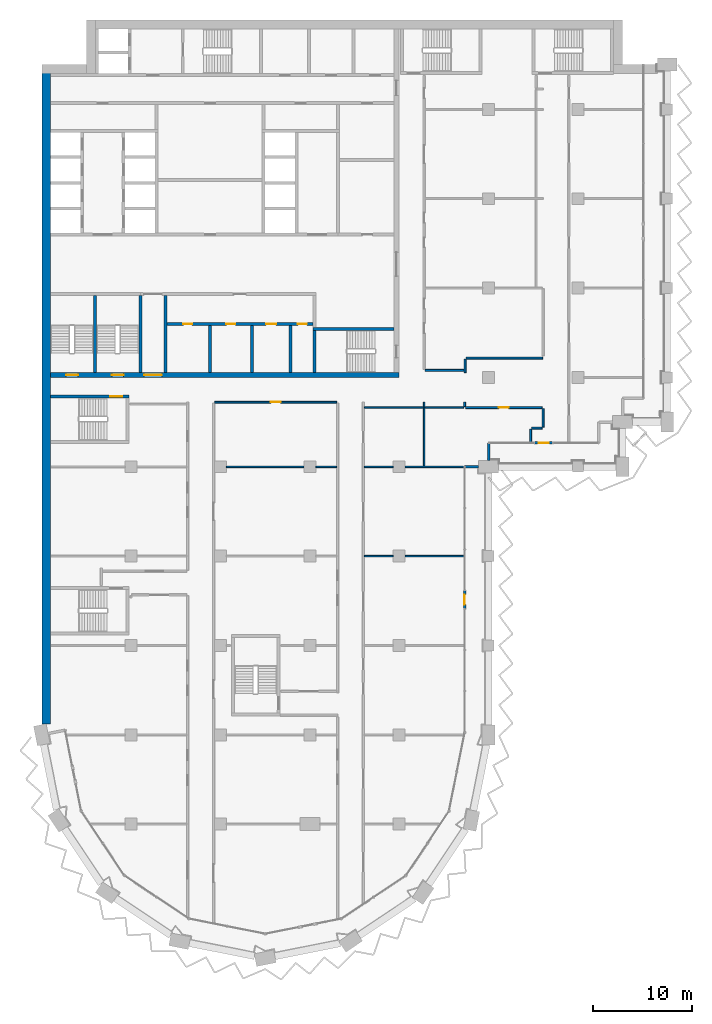
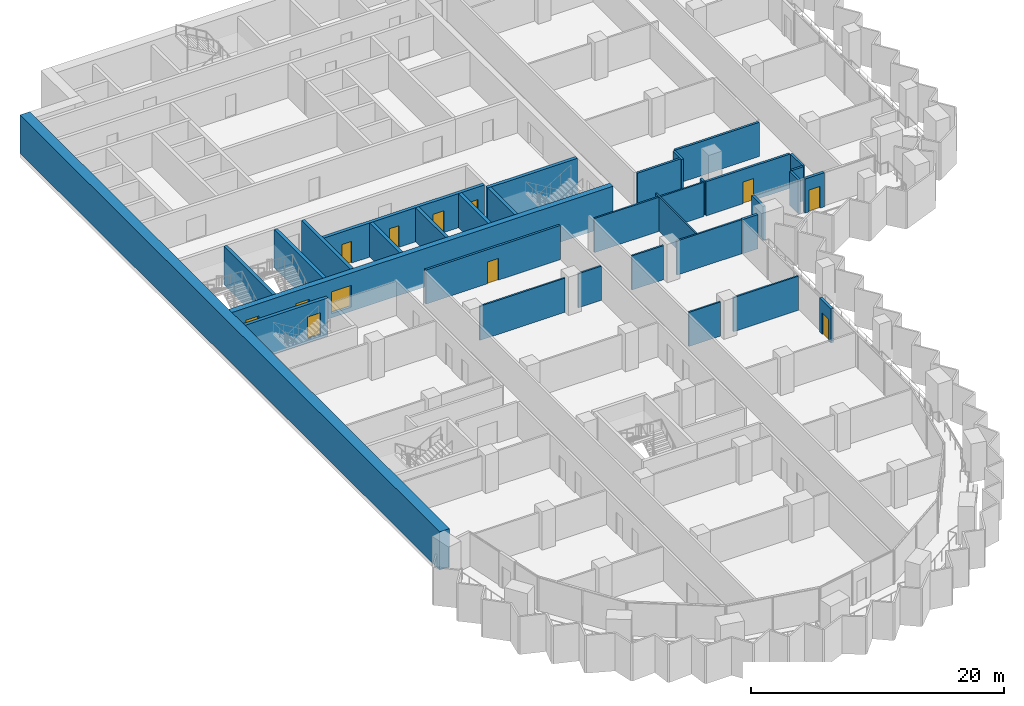
# One storey, part 11 of 22: 34 walls, 12 doors, 12 openings.
"""IFC4 building model written with IfcOpenShell, lengths in metres."""

from ifc_helpers import new_model, si_unit, direction, frame, frame_2d, origin, place, context, subcontext, project, spatial, rectangle, extrude, material, layer, layer_set, type_object, element, fill, save


model = new_model("IFC4")

# Units and contexts
model_context = context("Model", 3, precision=1e-05, world=origin(), true_north=direction((0.0, 1.0)))
body_context = subcontext(model_context, "Body", "Model", "MODEL_VIEW")
ifc_project = project(units=[si_unit("LENGTHUNIT", "METRE"), si_unit("AREAUNIT", "SQUARE_METRE"), si_unit("VOLUMEUNIT", "CUBIC_METRE"), si_unit("PLANEANGLEUNIT", "RADIAN"), si_unit("MASSUNIT", "GRAM", prefix="KILO")], contexts=[model_context])

# Site, building, storey
site_placement = place(None, origin())
site = spatial("IfcSite", under=ifc_project, at=site_placement, CompositionType="ELEMENT")
building_placement = place(site_placement, origin())
building = spatial("IfcBuilding", under=site, at=building_placement, Name="Hunhe Ridgeline Campus", CompositionType="ELEMENT")
storey_placement = place(building_placement, frame((0.0, 0.0, 156.0)))
storey = spatial("IfcBuildingStorey", under=building, at=storey_placement, Name="L39", CompositionType="ELEMENT", Elevation=156.0)

# Wall, openings, doors
ifc_material_1 = material(Name="Masonry concrete blockwork", Category="masonry")
ifc_layer_1 = layer(ifc_material_1, 0.300048828125)
ifc_layer_set_1 = layer_set([ifc_layer_1], Name="Core room partition 300 concrete block")
wall_type_1 = type_object("IfcWallType", Name="Core room partition 300 concrete block", PredefinedType="PARTITIONING", material=ifc_layer_set_1)
wall_1_placement = place(storey_placement, frame((12.60009765625, 68.39990234375, 0.0), z_axis=(0.0, 0.0, 1.0), x_axis=(1.0, 0.0, 0.0)))
wall_1 = element("IfcWall", 1, at=wall_1_placement, inside=storey, type_object=wall_type_1, Name="L39 core partition 9", PredefinedType="PARTITIONING", context=body_context, shape_type="SweptSolid", body=[
    extrude(rectangle(XDim=14.699951171875, YDim=0.300048828125, at=frame_2d((7.35009765625, 0.0))), origin(), (0.0, 0.0, 1.0), 3.300048828125),
])
opening_1_placement = place(wall_1_placement, frame((1.64990234375, 0.0, 0.0)))
opening_1 = element("IfcOpeningElement", 2, at=opening_1_placement, cuts=wall_1, Name="Opening CD8", PredefinedType="OPENING", context=body_context, shape_type="SweptSolid", body=[
    extrude(rectangle(XDim=0.89990234375, YDim=2.10009765625, at=frame_2d((0.449951171875, 1.050048828125))), frame((0.0, 0.14990234375, 0.0), z_axis=(0.0, -1.0, 0.0), x_axis=(1.0, 0.0, 0.0)), (0.0, 0.0, 1.0), 0.300048828125),
])
opening_2_placement = place(wall_1_placement, frame((6.0, 0.0, 0.0)))
opening_2 = element("IfcOpeningElement", 3, at=opening_2_placement, cuts=wall_1, Name="Opening CD9", PredefinedType="OPENING", context=body_context, shape_type="SweptSolid", body=[
    extrude(rectangle(XDim=0.89990234375, YDim=2.10009765625, at=frame_2d((0.449951171875, 1.050048828125))), frame((0.0, 0.14990234375, 0.0), z_axis=(0.0, -1.0, 0.0), x_axis=(1.0, 0.0, 0.0)), (0.0, 0.0, 1.0), 0.300048828125),
])
opening_3_placement = place(wall_1_placement, frame((10.0, 0.0, 0.0)))
opening_3 = element("IfcOpeningElement", 4, at=opening_3_placement, cuts=wall_1, Name="Opening CD10", PredefinedType="OPENING", context=body_context, shape_type="SweptSolid", body=[
    extrude(rectangle(XDim=1.0, YDim=2.10009765625, at=frame_2d((0.5, 1.050048828125))), frame((0.0, 0.14990234375, 0.0), z_axis=(0.0, -1.0, 0.0), x_axis=(1.0, 0.0, 0.0)), (0.0, 0.0, 1.0), 0.300048828125),
])
opening_4_placement = place(wall_1_placement, frame((13.199951171875, 0.0, 0.0)))
opening_4 = element("IfcOpeningElement", 5, at=opening_4_placement, cuts=wall_1, Name="Opening CD11", PredefinedType="OPENING", context=body_context, shape_type="SweptSolid", body=[
    extrude(rectangle(XDim=0.89990234375, YDim=2.10009765625, at=frame_2d((0.449951171875, 1.050048828125))), frame((0.0, 0.14990234375, 0.0), z_axis=(0.0, -1.0, 0.0), x_axis=(1.0, 0.0, 0.0)), (0.0, 0.0, 1.0), 0.300048828125),
])
ifc_material_2 = material(Name="Solid core timber door leaf", Category="wood")
door_type_1 = type_object("IfcDoorType", Name="Timber door 1000x2100", OperationType="SINGLE_SWING_LEFT", PredefinedType="DOOR", material=ifc_material_2)
door_1_placement = place(opening_3_placement, frame((1.0, 0.0, 0.0), z_axis=(0.0, 0.0, 1.0), x_axis=(-1.0, 0.0, 0.0)))
door_1 = element("IfcDoor", 6, at=door_1_placement, inside=storey, type_object=door_type_1, Name="L39 door WC3", OperationType="SINGLE_SWING_RIGHT", OverallHeight=2.10009765625, OverallWidth=1.0, PredefinedType="DOOR", context=body_context, shape_type="SweptSolid", body=[
    extrude(rectangle(XDim=1.0, YDim=2.10009765625, at=frame_2d((0.5, 1.050048828125))), frame((0.0, 0.02490234375, 0.0), z_axis=(0.0, -1.0, 0.0), x_axis=(1.0, 0.0, 0.0)), (0.0, 0.0, 1.0), 0.050048828125),
])
fill(opening_3, door_1)
door_type_2 = type_object("IfcDoorType", Name="Timber door 900x2100", OperationType="SINGLE_SWING_LEFT", PredefinedType="DOOR", material=ifc_material_2)
door_2_placement = place(opening_1_placement, frame((0.89990234375, 0.0, 0.0), z_axis=(0.0, 0.0, 1.0), x_axis=(-1.0, 0.0, 0.0)))
door_2 = element("IfcDoor", 7, at=door_2_placement, inside=storey, type_object=door_type_2, Name="L39 door WC1", OperationType="SINGLE_SWING_RIGHT", OverallHeight=2.10009765625, OverallWidth=0.89990234375, PredefinedType="DOOR", context=body_context, shape_type="SweptSolid", body=[
    extrude(rectangle(XDim=0.89990234375, YDim=2.10009765625, at=frame_2d((0.449951171875, 1.050048828125))), frame((0.0, 0.02490234375, 0.0), z_axis=(0.0, -1.0, 0.0), x_axis=(1.0, 0.0, 0.0)), (0.0, 0.0, 1.0), 0.050048828125),
])
fill(opening_1, door_2)
door_3_placement = place(opening_2_placement, frame((0.89990234375, 0.0, 0.0), z_axis=(0.0, 0.0, 1.0), x_axis=(-1.0, 0.0, 0.0)))
door_3 = element("IfcDoor", 8, at=door_3_placement, inside=storey, type_object=door_type_2, Name="L39 door WC2", OperationType="SINGLE_SWING_LEFT", OverallHeight=2.10009765625, OverallWidth=0.89990234375, PredefinedType="DOOR", context=body_context, shape_type="SweptSolid", body=[
    extrude(rectangle(XDim=0.89990234375, YDim=2.10009765625, at=frame_2d((0.449951171875, 1.050048828125))), frame((0.0, 0.02490234375, 0.0), z_axis=(0.0, -1.0, 0.0), x_axis=(1.0, 0.0, 0.0)), (0.0, 0.0, 1.0), 0.050048828125),
])
fill(opening_2, door_3)
door_4_placement = place(opening_4_placement, frame((0.89990234375, 0.0, 0.0), z_axis=(0.0, 0.0, 1.0), x_axis=(-1.0, 0.0, 0.0)))
door_4 = element("IfcDoor", 9, at=door_4_placement, inside=storey, type_object=door_type_2, Name="L39 door WC4", OperationType="SINGLE_SWING_LEFT", OverallHeight=2.10009765625, OverallWidth=0.89990234375, PredefinedType="DOOR", context=body_context, shape_type="SweptSolid", body=[
    extrude(rectangle(XDim=0.89990234375, YDim=2.10009765625, at=frame_2d((0.449951171875, 1.050048828125))), frame((0.0, 0.02490234375, 0.0), z_axis=(0.0, -1.0, 0.0), x_axis=(1.0, 0.0, 0.0)), (0.0, 0.0, 1.0), 0.050048828125),
])
fill(opening_4, door_4)

# Walls
wall_2_placement = place(storey_placement, frame((12.449951171875, 63.5, 0.0), z_axis=(0.0, 0.0, 1.0), x_axis=(0.0, 1.0, 0.0)))
element("IfcWall", 10, at=wall_2_placement, inside=storey, type_object=wall_type_1, Name="L39 core partition 42", PredefinedType="PARTITIONING", context=body_context, shape_type="SweptSolid", body=[
    extrude(rectangle(XDim=7.75, YDim=0.300048828125, at=frame_2d((3.875, 0.0))), origin(), (0.0, 0.0, 1.0), 3.300048828125),
])
for number, where, z_axis, x_axis, name in (
    (11, (16.949951171875, 63.5, 0.0), (0.0, 0.0, 1.0), (0.0, 1.0, 0.0), "L39 core partition 44"),
    (12, (21.14990234375, 63.5, 0.0), (0.0, 0.0, 1.0), (0.0, 1.0, 0.0), "L39 core partition 46"),
    (13, (25.050048828125, 63.5, 0.0), (0.0, 0.0, 1.0), (0.0, 1.0, 0.0), "L39 core partition 51"),
):
    element("IfcWall", number, at=place(storey_placement, frame(where, z_axis=z_axis, x_axis=x_axis)), inside=storey, type_object=wall_type_1, Name=name, PredefinedType="PARTITIONING", context=body_context, shape_type="SweptSolid", body=[
        extrude(rectangle(XDim=4.75, YDim=0.300048828125, at=frame_2d((2.375, 0.0))), origin(), (0.0, 0.0, 1.0), 3.300048828125),
    ])

# Wall, openings, doors
ifc_material_3 = material(Name="Concrete C70", Category="concrete")
ifc_layer_2 = layer(ifc_material_3, 0.5)
ifc_layer_set_2 = layer_set([ifc_layer_2], Name="Core wall 500 reinforced concrete C70")
wall_type_2 = type_object("IfcWallType", Name="Core wall 500 reinforced concrete C70", PredefinedType="SOLIDWALL", material=ifc_layer_set_2)
wall_3_placement = place(storey_placement, frame((0.89990234375, 63.25, -0.39990234375), z_axis=(0.0, 0.0, 1.0), x_axis=(1.0, 0.0, 0.0)))
wall_3 = element("IfcWall", 14, at=wall_3_placement, inside=storey, type_object=wall_type_2, Name="L39 core wall 7", PredefinedType="SOLIDWALL", context=body_context, shape_type="SweptSolid", body=[
    extrude(rectangle(XDim=35.10009765625, YDim=0.5, at=frame_2d((17.550048828125, 0.0))), origin(), (0.0, 0.0, 1.0), 3.699951171875),
])
opening_5_placement = place(wall_3_placement, frame((9.39990234375, 0.0, 0.39990234375)))
opening_5 = element("IfcOpeningElement", 15, at=opening_5_placement, cuts=wall_3, Name="Opening CD6", PredefinedType="OPENING", context=body_context, shape_type="SweptSolid", body=[
    extrude(rectangle(XDim=1.800048828125, YDim=2.10009765625, at=frame_2d((0.89990234375, 1.050048828125))), frame((0.0, 0.25, 0.0), z_axis=(0.0, -1.0, 0.0), x_axis=(1.0, 0.0, 0.0)), (0.0, 0.0, 1.0), 0.5),
])
opening_6_placement = place(wall_3_placement, frame((1.550048828125, 0.0, 0.39990234375)))
opening_6 = element("IfcOpeningElement", 16, at=opening_6_placement, cuts=wall_3, Name="Opening CD13", PredefinedType="OPENING", context=body_context, shape_type="SweptSolid", body=[
    extrude(rectangle(XDim=1.199951171875, YDim=2.10009765625, at=frame_2d((0.60009765625, 1.050048828125))), frame((0.0, 0.25, 0.0), z_axis=(0.0, -1.0, 0.0), x_axis=(1.0, 0.0, 0.0)), (0.0, 0.0, 1.0), 0.5),
])
opening_7_placement = place(wall_3_placement, frame((6.14990234375, 0.0, 0.39990234375)))
opening_7 = element("IfcOpeningElement", 17, at=opening_7_placement, cuts=wall_3, Name="Opening CD14", PredefinedType="OPENING", context=body_context, shape_type="SweptSolid", body=[
    extrude(rectangle(XDim=1.199951171875, YDim=2.10009765625, at=frame_2d((0.60009765625, 1.050048828125))), frame((0.0, 0.25, 0.0), z_axis=(0.0, -1.0, 0.0), x_axis=(1.0, 0.0, 0.0)), (0.0, 0.0, 1.0), 0.5),
])
ifc_material_4 = material(Name="Anodised aluminium and glass", Category="aluminium")
door_type_3 = type_object("IfcDoorType", Name="Glazed double door 1800x2100", OperationType="DOUBLE_DOOR_SINGLE_SWING", PredefinedType="DOOR", material=ifc_material_4)
door_5_placement = place(opening_5_placement, frame((1.800048828125, 0.0, 0.0), z_axis=(0.0, 0.0, 1.0), x_axis=(-1.0, 0.0, 0.0)))
door_5 = element("IfcDoor", 18, at=door_5_placement, inside=storey, type_object=door_type_3, Name="L39 door VEST-FLOOR", OperationType="DOUBLE_DOOR_SINGLE_SWING", OverallHeight=2.10009765625, OverallWidth=1.800048828125, PredefinedType="DOOR", context=body_context, shape_type="SweptSolid", body=[
    extrude(rectangle(XDim=1.800048828125, YDim=2.10009765625, at=frame_2d((0.89990234375, 1.050048828125))), frame((0.0, 0.02490234375, 0.0), z_axis=(0.0, -1.0, 0.0), x_axis=(1.0, 0.0, 0.0)), (0.0, 0.0, 1.0), 0.050048828125),
])
fill(opening_5, door_5)
ifc_material_5 = material(Name="Hollow metal fire door leaf")
door_type_4 = type_object("IfcDoorType", Name="Stair door 1200x2100 FD60", OperationType="SINGLE_SWING_LEFT", PredefinedType="DOOR", material=ifc_material_5)
door_6_placement = place(opening_6_placement, frame((1.199951171875, 0.0, 0.0), z_axis=(0.0, 0.0, 1.0), x_axis=(-1.0, 0.0, 0.0)))
door_6 = element("IfcDoor", 19, at=door_6_placement, inside=storey, type_object=door_type_4, Name="L39 door S3", OperationType="SINGLE_SWING_RIGHT", OverallHeight=2.10009765625, OverallWidth=1.199951171875, PredefinedType="DOOR", context=body_context, shape_type="SweptSolid", body=[
    extrude(rectangle(XDim=1.199951171875, YDim=2.10009765625, at=frame_2d((0.60009765625, 1.050048828125))), frame((0.0, 0.02490234375, 0.0), z_axis=(0.0, -1.0, 0.0), x_axis=(1.0, 0.0, 0.0)), (0.0, 0.0, 1.0), 0.050048828125),
])
fill(opening_6, door_6)
door_7_placement = place(opening_7_placement, frame((1.199951171875, 0.0, 0.0), z_axis=(0.0, 0.0, 1.0), x_axis=(-1.0, 0.0, 0.0)))
door_7 = element("IfcDoor", 20, at=door_7_placement, inside=storey, type_object=door_type_4, Name="L39 door S4", OperationType="SINGLE_SWING_LEFT", OverallHeight=2.10009765625, OverallWidth=1.199951171875, PredefinedType="DOOR", context=body_context, shape_type="SweptSolid", body=[
    extrude(rectangle(XDim=1.199951171875, YDim=2.10009765625, at=frame_2d((0.60009765625, 1.050048828125))), frame((0.0, 0.02490234375, 0.0), z_axis=(0.0, -1.0, 0.0), x_axis=(1.0, 0.0, 0.0)), (0.0, 0.0, 1.0), 0.050048828125),
])
fill(opening_7, door_7)

# Walls
ifc_material_6 = material(Name="Concrete C30", Category="concrete")
ifc_layer_3 = layer(ifc_material_6, 0.25)
ifc_layer_set_3 = layer_set([ifc_layer_3], Name="Corner return wall 250 Concrete C30")
wall_type_3 = type_object("IfcWallType", Name="Corner return wall 250 Concrete C30", PredefinedType="SOLIDWALL", material=ifc_layer_set_3)
wall_4_placement = place(storey_placement, frame((42.59912109375, 54.00048828125, 0.0), z_axis=(0.0, 0.0, 1.0), x_axis=(0.999999984814, 0.000174276749, 0.0)))
element("IfcWall", 21, at=wall_4_placement, inside=storey, type_object=wall_type_3, Name="Corner return wall 2", PredefinedType="SOLIDWALL", context=body_context, shape_type="SweptSolid", body=[
    extrude(rectangle(XDim=1.40087890625, YDim=0.25, at=frame_2d((0.700439453125, 0.0))), origin(), (0.0, 0.0, 1.0), 3.300048828125),
])
wall_5_placement = place(storey_placement, frame((44.999267578125, 54.64990234375, 0.0), z_axis=(0.0, 0.0, 1.0), x_axis=(0.000278862231, 0.999999961118, 0.0)))
element("IfcWall", 22, at=wall_5_placement, inside=storey, type_object=wall_type_3, Name="Corner return wall 3", PredefinedType="SOLIDWALL", context=body_context, shape_type="SweptSolid", body=[
    extrude(rectangle(XDim=1.7509765625, YDim=0.25, at=frame_2d((0.87548828125, 0.0))), origin(), (0.0, 0.0, 1.0), 3.300048828125),
])
ifc_material_7 = material(Name="Gypsum board partition")
ifc_layer_4 = layer(ifc_material_7, 0.199951171875)
ifc_layer_set_4 = layer_set([ifc_layer_4], Name="Corridor partition 200 gypsum board on steel studs")
wall_type_4 = type_object("IfcWallType", Name="Corridor partition 200 gypsum board on steel studs", PredefinedType="PARTITIONING", material=ifc_layer_set_4)
wall_6_placement = place(storey_placement, frame((49.34912109375, 57.90087890625, 0.0), z_axis=(0.0, 0.0, 1.0), x_axis=(1.0, 0.0, 0.0)))
element("IfcWall", 23, at=wall_6_placement, inside=storey, type_object=wall_type_4, Name="F-L39-wall-036", PredefinedType="PARTITIONING", context=body_context, shape_type="SweptSolid", body=[
    extrude(rectangle(XDim=1.05078125, YDim=0.199951171875, at=frame_2d((0.525390625, 0.0))), origin(), (0.0, 0.0, 1.0), 3.300048828125),
])

# Wall, opening, door
wall_7_placement = place(storey_placement, frame((50.39990234375, 59.950927734375, 0.0), z_axis=(0.0, 0.0, 1.0), x_axis=(-1.0, 0.0, 0.0)))
wall_7 = element("IfcWall", 24, at=wall_7_placement, inside=storey, type_object=wall_type_4, Name="F-L39-wall-039", PredefinedType="PARTITIONING", context=body_context, shape_type="SweptSolid", body=[
    extrude(rectangle(XDim=7.699951171875, YDim=0.199951171875, at=frame_2d((3.85009765625, 0.0))), origin(), (0.0, 0.0, 1.0), 3.300048828125),
])
opening_8_placement = place(wall_7_placement, frame((3.35009765625, 0.0, 0.0)))
opening_8 = element("IfcOpeningElement", 25, at=opening_8_placement, cuts=wall_7, Name="Opening RD1-027", PredefinedType="OPENING", context=body_context, shape_type="SweptSolid", body=[
    extrude(rectangle(XDim=1.0, YDim=2.10009765625, at=frame_2d((0.5, 1.050048828125))), frame((0.0, 0.10009765625, 0.0), z_axis=(0.0, -1.0, 0.0), x_axis=(1.0, 0.0, 0.0)), (0.0, 0.0, 1.0), 0.199951171875),
])
ifc_material_8 = material(Name="Timber door leaf", Category="wood")
door_type_5 = type_object("IfcDoorType", Name="Single fire door 1000x2100 timber FD60", OperationType="NOTDEFINED", PredefinedType="DOOR", material=ifc_material_8)
door_8_placement = place(opening_8_placement, origin())
door_8 = element("IfcDoor", 26, at=door_8_placement, inside=storey, type_object=door_type_5, Name="F-L39-door-027", OperationType="SINGLE_SWING_LEFT", OverallHeight=2.10009765625, OverallWidth=1.0, PredefinedType="DOOR", context=body_context, shape_type="SweptSolid", body=[
    extrude(rectangle(XDim=1.0, YDim=2.10009765625, at=frame_2d((0.5, 1.050048828125))), frame((0.0, 0.02490234375, 0.0), z_axis=(0.0, -1.0, 0.0), x_axis=(1.0, 0.0, 0.0)), (0.0, 0.0, 1.0), 0.050048828125),
])
fill(opening_8, door_8)

wall_8_placement = place(storey_placement, frame((29.699951171875, 60.5, 0.0), z_axis=(0.0, 0.0, 1.0), x_axis=(-1.0, 0.0, 0.0)))
wall_8 = element("IfcWall", 27, at=wall_8_placement, inside=storey, type_object=wall_type_4, Name="F-L39-wall-041", PredefinedType="PARTITIONING", context=body_context, shape_type="SweptSolid", body=[
    extrude(rectangle(XDim=12.300048828125, YDim=0.199951171875, at=frame_2d((6.14990234375, 0.0))), origin(), (0.0, 0.0, 1.0), 3.300048828125),
])
opening_9_placement = place(wall_8_placement, frame((5.64990234375, 0.0, 0.0)))
opening_9 = element("IfcOpeningElement", 28, at=opening_9_placement, cuts=wall_8, Name="Opening RD1-028", PredefinedType="OPENING", context=body_context, shape_type="SweptSolid", body=[
    extrude(rectangle(XDim=1.0, YDim=2.10009765625, at=frame_2d((0.5, 1.050048828125))), frame((0.0, 0.10009765625, 0.0), z_axis=(0.0, -1.0, 0.0), x_axis=(1.0, 0.0, 0.0)), (0.0, 0.0, 1.0), 0.199951171875),
])
door_9_placement = place(opening_9_placement, origin())
door_9 = element("IfcDoor", 29, at=door_9_placement, inside=storey, type_object=door_type_5, Name="F-L39-door-028", OperationType="SINGLE_SWING_LEFT", OverallHeight=2.10009765625, OverallWidth=1.0, PredefinedType="DOOR", context=body_context, shape_type="SweptSolid", body=[
    extrude(rectangle(XDim=1.0, YDim=2.10009765625, at=frame_2d((0.5, 1.050048828125))), frame((0.0, 0.02490234375, 0.0), z_axis=(0.0, -1.0, 0.0), x_axis=(1.0, 0.0, 0.0)), (0.0, 0.0, 1.0), 0.050048828125),
])
fill(opening_9, door_9)

# Walls
wall_9_placement = place(storey_placement, frame((38.60009765625, 63.699951171875, 0.0), z_axis=(0.0, 0.0, 1.0), x_axis=(1.0, 0.0, 0.0)))
element("IfcWall", 30, at=wall_9_placement, inside=storey, type_object=wall_type_4, Name="F-L39-wall-043", PredefinedType="PARTITIONING", context=body_context, shape_type="SweptSolid", body=[
    extrude(rectangle(XDim=3.949951171875, YDim=0.199951171875, at=frame_2d((1.97509765625, 0.0))), origin(), (0.0, 0.0, 1.0), 3.300048828125),
])
wall_10_placement = place(storey_placement, frame((42.75, 64.949951171875, 0.0), z_axis=(0.0, 0.0, 1.0), x_axis=(1.0, 0.0, 0.0)))
element("IfcWall", 31, at=wall_10_placement, inside=storey, type_object=wall_type_4, Name="F-L39-wall-044", PredefinedType="PARTITIONING", context=body_context, shape_type="SweptSolid", body=[
    extrude(rectangle(XDim=7.699951171875, YDim=0.199951171875, at=frame_2d((3.85009765625, 0.0))), origin(), (0.0, 0.0, 1.0), 3.300048828125),
])
wall_11_placement = place(storey_placement, frame((42.60009765625, 60.051025390625, 0.0), z_axis=(0.0, 0.0, 1.0), x_axis=(0.0, 1.0, 0.0)))
element("IfcWall", 32, at=wall_11_placement, inside=storey, type_object=wall_type_4, Name="F-L39-wall-065", PredefinedType="PARTITIONING", context=body_context, shape_type="SweptSolid", body=[
    extrude(rectangle(XDim=0.448974609375, YDim=0.199951171875, at=frame_2d((0.224609375, 0.0))), origin(), (0.0, 0.0, 1.0), 3.300048828125),
])
wall_12_placement = place(storey_placement, frame((42.64990234375, 63.487548828125, 0.0), z_axis=(0.0, 0.0, 1.0), x_axis=(0.0, 1.0, 0.0)))
element("IfcWall", 33, at=wall_12_placement, inside=storey, type_object=wall_type_4, Name="F-L39-wall-066", PredefinedType="PARTITIONING", context=body_context, shape_type="SweptSolid", body=[
    extrude(rectangle(XDim=1.362548828125, YDim=0.199951171875, at=frame_2d((0.68115234375, 0.0))), origin(), (0.0, 0.0, 1.0), 3.300048828125),
])
wall_13_placement = place(storey_placement, frame((49.2490234375, 56.455078125, 0.0), z_axis=(0.0, 0.0, 1.0), x_axis=(0.0, 1.0, 0.0)))
element("IfcWall", 34, at=wall_13_placement, inside=storey, type_object=wall_type_4, Name="F-L39-wall-067", PredefinedType="PARTITIONING", context=body_context, shape_type="SweptSolid", body=[
    extrude(rectangle(XDim=1.345947265625, YDim=0.199951171875, at=frame_2d((0.6728515625, 0.0))), origin(), (0.0, 0.0, 1.0), 3.300048828125),
])
wall_14_placement = place(storey_placement, frame((50.5, 58.0009765625, 0.0), z_axis=(0.0, 0.0, 1.0), x_axis=(0.0, 1.0, 0.0)))
element("IfcWall", 35, at=wall_14_placement, inside=storey, type_object=wall_type_4, Name="F-L39-wall-072", PredefinedType="PARTITIONING", context=body_context, shape_type="SweptSolid", body=[
    extrude(rectangle(XDim=1.8447265625, YDim=0.199951171875, at=frame_2d((0.92236328125, 0.0))), origin(), (0.0, 0.0, 1.0), 3.300048828125),
])

# Wall, opening, door
ifc_layer_5 = layer(ifc_material_6, 0.25)
ifc_layer_set_5 = layer_set([ifc_layer_5], Name="Loggia door pier wall 250 Concrete C30")
wall_type_5 = type_object("IfcWallType", Name="Loggia door pier wall 250 Concrete C30", PredefinedType="SOLIDWALL", material=ifc_layer_set_5)
wall_15_placement = place(storey_placement, frame((42.59912109375, 39.718505859375, 0.0), z_axis=(0.0, 0.0, 1.0), x_axis=(0.0, 1.0, 0.0)))
wall_15 = element("IfcWall", 36, at=wall_15_placement, inside=storey, type_object=wall_type_5, Name="Loggia door pier 3", PredefinedType="SOLIDWALL", context=body_context, shape_type="SweptSolid", body=[
    extrude(rectangle(XDim=1.800048828125, YDim=0.25, at=frame_2d((0.89990234375, 0.0))), origin(), (0.0, 0.0, 1.0), 3.300048828125),
])
opening_10_placement = place(wall_15_placement, frame((0.39990234375, 0.0, 0.0)))
opening_10 = element("IfcOpeningElement", 37, at=opening_10_placement, cuts=wall_15, Name="Opening BD305", PredefinedType="OPENING", context=body_context, shape_type="SweptSolid", body=[
    extrude(rectangle(XDim=1.0, YDim=2.10009765625, at=frame_2d((0.5, 1.050048828125))), frame((0.0, 0.125, 0.0), z_axis=(0.0, -1.0, 0.0), x_axis=(1.0, 0.0, 0.0)), (0.0, 0.0, 1.0), 0.25),
])
ifc_material_9 = material(Name="Aluminium 6063", Category="aluminium")
door_type_6 = type_object("IfcDoorType", Name="Loggia glazed door 1000x2100", OperationType="NOTDEFINED", PredefinedType="DOOR", material=ifc_material_9)
door_10_placement = place(opening_10_placement, frame((1.0, 0.0, 0.0), z_axis=(0.0, 0.0, 1.0), x_axis=(-1.0, 0.0, 0.0)))
door_10 = element("IfcDoor", 38, at=door_10_placement, inside=storey, type_object=door_type_6, Name="Loggia door BD305", OperationType="SINGLE_SWING_RIGHT", OverallHeight=2.10009765625, OverallWidth=1.0, PredefinedType="DOOR", context=body_context, shape_type="SweptSolid", body=[
    extrude(rectangle(XDim=1.0, YDim=2.10009765625, at=frame_2d((0.5, 1.050048828125))), frame((0.0, 0.02490234375, 0.0), z_axis=(0.0, -1.0, 0.0), x_axis=(1.0, 0.0, 0.0)), (0.0, 0.0, 1.0), 0.050048828125),
])
fill(opening_10, door_10)

wall_16_placement = place(storey_placement, frame((49.6494140625, 56.40087890625, 0.0), z_axis=(0.0, 0.0, 1.0), x_axis=(1.0, 0.0, 0.0)))
wall_16 = element("IfcWall", 39, at=wall_16_placement, inside=storey, type_object=wall_type_5, Name="Loggia door pier 4", PredefinedType="SOLIDWALL", context=body_context, shape_type="SweptSolid", body=[
    extrude(rectangle(XDim=1.800048828125, YDim=0.25, at=frame_2d((0.89990234375, 0.0))), origin(), (0.0, 0.0, 1.0), 3.300048828125),
])
opening_11_placement = place(wall_16_placement, frame((0.39990234375, 0.0, 0.0)))
opening_11 = element("IfcOpeningElement", 40, at=opening_11_placement, cuts=wall_16, Name="Opening BD306", PredefinedType="OPENING", context=body_context, shape_type="SweptSolid", body=[
    extrude(rectangle(XDim=1.0, YDim=2.10009765625, at=frame_2d((0.5, 1.050048828125))), frame((0.0, 0.125, 0.0), z_axis=(0.0, -1.0, 0.0), x_axis=(1.0, 0.0, 0.0)), (0.0, 0.0, 1.0), 0.25),
])
door_11_placement = place(opening_11_placement, frame((1.0, 0.0, 0.0), z_axis=(0.0, 0.0, 1.0), x_axis=(-1.0, 0.0, 0.0)))
door_11 = element("IfcDoor", 41, at=door_11_placement, inside=storey, type_object=door_type_6, Name="Loggia door BD306", OperationType="SINGLE_SWING_LEFT", OverallHeight=2.10009765625, OverallWidth=1.0, PredefinedType="DOOR", context=body_context, shape_type="SweptSolid", body=[
    extrude(rectangle(XDim=1.0, YDim=2.10009765625, at=frame_2d((0.5, 1.050048828125))), frame((0.0, 0.02490234375, 0.0), z_axis=(0.0, -1.0, 0.0), x_axis=(1.0, 0.0, 0.0)), (0.0, 0.0, 1.0), 0.050048828125),
])
fill(opening_11, door_11)

# Walls
ifc_layer_6 = layer(ifc_material_7, 0.14990234375)
ifc_layer_set_6 = layer_set([ifc_layer_6], Name="Room partition 150 gypsum board on steel studs")
wall_type_6 = type_object("IfcWallType", Name="Room partition 150 gypsum board on steel studs", PredefinedType="PARTITIONING", material=ifc_layer_set_6)
wall_17_placement = place(storey_placement, frame((32.5, 45.0, 0.0), z_axis=(0.0, 0.0, 1.0), x_axis=(1.0, 0.0, 0.0)))
element("IfcWall", 42, at=wall_17_placement, inside=storey, type_object=wall_type_6, Name="F-L39-wall-028", PredefinedType="PARTITIONING", context=body_context, shape_type="SweptSolid", body=[
    extrude(rectangle(XDim=2.89990234375, YDim=0.14990234375, at=frame_2d((1.449951171875, 0.0))), origin(), (0.0, 0.0, 1.0), 3.300048828125),
])
wall_18_placement = place(storey_placement, frame((36.60009765625, 45.0, 0.0), z_axis=(0.0, 0.0, 1.0), x_axis=(1.0, 0.0, 0.0)))
element("IfcWall", 43, at=wall_18_placement, inside=storey, type_object=wall_type_6, Name="F-L39-wall-029", PredefinedType="PARTITIONING", context=body_context, shape_type="SweptSolid", body=[
    extrude(rectangle(XDim=5.945068359375, YDim=0.14990234375, at=frame_2d((2.97265625, 0.0))), origin(), (0.0, 0.0, 1.0), 3.300048828125),
])
wall_19_placement = place(storey_placement, frame((18.60009765625, 54.0, 0.0), z_axis=(0.0, 0.0, 1.0), x_axis=(1.0, 0.0, 0.0)))
element("IfcWall", 44, at=wall_19_placement, inside=storey, type_object=wall_type_6, Name="F-L39-wall-032", PredefinedType="PARTITIONING", context=body_context, shape_type="SweptSolid", body=[
    extrude(rectangle(XDim=7.7998046875, YDim=0.14990234375, at=frame_2d((3.89990234375, 0.0))), origin(), (0.0, 0.0, 1.0), 3.300048828125),
])
wall_20_placement = place(storey_placement, frame((27.60009765625, 54.0, 0.0), z_axis=(0.0, 0.0, 1.0), x_axis=(1.0, 0.0, 0.0)))
element("IfcWall", 45, at=wall_20_placement, inside=storey, type_object=wall_type_6, Name="F-L39-wall-033", PredefinedType="PARTITIONING", context=body_context, shape_type="SweptSolid", body=[
    extrude(rectangle(XDim=2.099853515625, YDim=0.14990234375, at=frame_2d((1.0498046875, 0.0))), origin(), (0.0, 0.0, 1.0), 3.300048828125),
])
wall_21_placement = place(storey_placement, frame((32.5, 54.0, 0.0), z_axis=(0.0, 0.0, 1.0), x_axis=(1.0, 0.0, 0.0)))
element("IfcWall", 46, at=wall_21_placement, inside=storey, type_object=wall_type_6, Name="F-L39-wall-034", PredefinedType="PARTITIONING", context=body_context, shape_type="SweptSolid", body=[
    extrude(rectangle(XDim=2.89990234375, YDim=0.14990234375, at=frame_2d((1.449951171875, 0.0))), origin(), (0.0, 0.0, 1.0), 3.300048828125),
])
wall_22_placement = place(storey_placement, frame((36.60009765625, 54.0, 0.0), z_axis=(0.0, 0.0, 1.0), x_axis=(1.0, 0.0, 0.0)))
element("IfcWall", 47, at=wall_22_placement, inside=storey, type_object=wall_type_6, Name="F-L39-wall-035", PredefinedType="PARTITIONING", context=body_context, shape_type="SweptSolid", body=[
    extrude(rectangle(XDim=5.945068359375, YDim=0.14990234375, at=frame_2d((2.97265625, 0.0))), origin(), (0.0, 0.0, 1.0), 3.300048828125),
])
wall_23_placement = place(storey_placement, frame((32.5, 59.950927734375, 0.0), z_axis=(0.0, 0.0, 1.0), x_axis=(1.0, 0.0, 0.0)))
element("IfcWall", 48, at=wall_23_placement, inside=storey, type_object=wall_type_6, Name="F-L39-wall-037", PredefinedType="PARTITIONING", context=body_context, shape_type="SweptSolid", body=[
    extrude(rectangle(XDim=5.925048828125, YDim=0.14990234375, at=frame_2d((2.96240234375, 0.0))), origin(), (0.0, 0.0, 1.0), 3.300048828125),
])
wall_24_placement = place(storey_placement, frame((38.574951171875, 59.950927734375, 0.0), z_axis=(0.0, 0.0, 1.0), x_axis=(1.0, 0.0, 0.0)))
element("IfcWall", 49, at=wall_24_placement, inside=storey, type_object=wall_type_6, Name="F-L39-wall-038", PredefinedType="PARTITIONING", context=body_context, shape_type="SweptSolid", body=[
    extrude(rectangle(XDim=3.925048828125, YDim=0.14990234375, at=frame_2d((1.96240234375, 0.0))), origin(), (0.0, 0.0, 1.0), 3.300048828125),
])
wall_25_placement = place(storey_placement, frame((38.5, 60.5, 0.0), z_axis=(0.0, 0.0, 1.0), x_axis=(0.0, -1.0, 0.0)))
element("IfcWall", 50, at=wall_25_placement, inside=storey, type_object=wall_type_6, Name="F-L39-wall-063", PredefinedType="PARTITIONING", context=body_context, shape_type="SweptSolid", body=[
    extrude(rectangle(XDim=6.425048828125, YDim=0.14990234375, at=frame_2d((3.21240234375, 0.0))), origin(), (0.0, 0.0, 1.0), 3.300048828125),
])
ifc_layer_7 = layer(ifc_material_3, 0.89990234375)
ifc_layer_set_7 = layer_set([ifc_layer_7], Name="Spine wall 900 Concrete C70")
wall_type_7 = type_object("IfcWallType", Name="Spine wall 900 Concrete C70", PredefinedType="SHEAR", material=ifc_layer_set_7)
wall_26_placement = place(storey_placement, frame((0.449951171875, 94.5, 0.0), z_axis=(0.0, 0.0, 1.0), x_axis=(0.0, -1.0, 0.0)))
element("IfcWall", 51, at=wall_26_placement, inside=storey, type_object=wall_type_7, Name="Spine wall SW2-1 L39", PredefinedType="SHEAR", context=body_context, shape_type="SweptSolid", body=[
    extrude(rectangle(XDim=66.430419921875, YDim=0.89990234375, at=frame_2d((33.21533203125, 0.0))), origin(), (0.0, 0.0, 1.0), 3.699951171875),
])

# Wall, opening, door
ifc_layer_8 = layer(ifc_material_3, 0.300048828125)
ifc_layer_set_8 = layer_set([ifc_layer_8], Name="Stair wall 300 reinforced concrete C70")
wall_type_8 = type_object("IfcWallType", Name="Stair wall 300 reinforced concrete C70", PredefinedType="SOLIDWALL", material=ifc_layer_set_8)
wall_27_placement = place(storey_placement, frame((0.89990234375, 61.10009765625, -0.39990234375), z_axis=(0.0, 0.0, 1.0), x_axis=(1.0, 0.0, 0.0)))
wall_27 = element("IfcWall", 52, at=wall_27_placement, inside=storey, type_object=wall_type_8, Name="L39 core wall 6", PredefinedType="SOLIDWALL", context=body_context, shape_type="SweptSolid", body=[
    extrude(rectangle(XDim=7.900146484375, YDim=0.300048828125, at=frame_2d((3.9501953125, 0.0))), origin(), (0.0, 0.0, 1.0), 3.699951171875),
])
opening_12_placement = place(wall_27_placement, frame((6.0, 0.0, 0.39990234375)))
opening_12 = element("IfcOpeningElement", 53, at=opening_12_placement, cuts=wall_27, Name="Opening CD22", PredefinedType="OPENING", context=body_context, shape_type="SweptSolid", body=[
    extrude(rectangle(XDim=1.199951171875, YDim=2.10009765625, at=frame_2d((0.60009765625, 1.050048828125))), frame((0.0, 0.14990234375, 0.0), z_axis=(0.0, -1.0, 0.0), x_axis=(1.0, 0.0, 0.0)), (0.0, 0.0, 1.0), 0.300048828125),
])
door_12_placement = place(opening_12_placement, origin())
door_12 = element("IfcDoor", 54, at=door_12_placement, inside=storey, type_object=door_type_4, Name="L39 door W2", OperationType="SINGLE_SWING_RIGHT", OverallHeight=2.10009765625, OverallWidth=1.199951171875, PredefinedType="DOOR", context=body_context, shape_type="SweptSolid", body=[
    extrude(rectangle(XDim=1.199951171875, YDim=2.10009765625, at=frame_2d((0.60009765625, 1.050048828125))), frame((0.0, 0.02490234375, 0.0), z_axis=(0.0, -1.0, 0.0), x_axis=(1.0, 0.0, 0.0)), (0.0, 0.0, 1.0), 0.050048828125),
])
fill(opening_12, door_12)

# Walls
wall_28_placement = place(storey_placement, frame((27.300048828125, 67.89990234375, -0.39990234375), z_axis=(0.0, 0.0, 1.0), x_axis=(1.0, 0.0, 0.0)))
element("IfcWall", 55, at=wall_28_placement, inside=storey, type_object=wall_type_8, Name="L39 core wall 8", PredefinedType="SOLIDWALL", context=body_context, shape_type="SweptSolid", body=[
    extrude(rectangle(XDim=8.199951171875, YDim=0.300048828125, at=frame_2d((4.10009765625, 0.0))), origin(), (0.0, 0.0, 1.0), 3.699951171875),
])
for number, where, z_axis, x_axis, name in (
    (56, (5.35009765625, 63.5, -0.39990234375), (0.0, 0.0, 1.0), (0.0, 1.0, 0.0), "L39 core wall 33"),
    (57, (9.949951171875, 63.5, -0.39990234375), (0.0, 0.0, 1.0), (0.0, 1.0, 0.0), "L39 core wall 39"),
):
    element("IfcWall", number, at=place(storey_placement, frame(where, z_axis=z_axis, x_axis=x_axis)), inside=storey, type_object=wall_type_8, Name=name, PredefinedType="SOLIDWALL", context=body_context, shape_type="SweptSolid", body=[
        extrude(rectangle(XDim=7.75, YDim=0.300048828125, at=frame_2d((3.875, 0.0))), origin(), (0.0, 0.0, 1.0), 3.699951171875),
    ])
wall_29_placement = place(storey_placement, frame((27.449951171875, 63.5, -0.39990234375), z_axis=(0.0, 0.0, 1.0), x_axis=(0.0, 1.0, 0.0)))
element("IfcWall", 58, at=wall_29_placement, inside=storey, type_object=wall_type_8, Name="L39 core wall 54", PredefinedType="SOLIDWALL", context=body_context, shape_type="SweptSolid", body=[
    extrude(rectangle(XDim=4.25, YDim=0.300048828125, at=frame_2d((2.125, 0.0))), origin(), (0.0, 0.0, 1.0), 3.699951171875),
])

save(model, "model.ifc")
